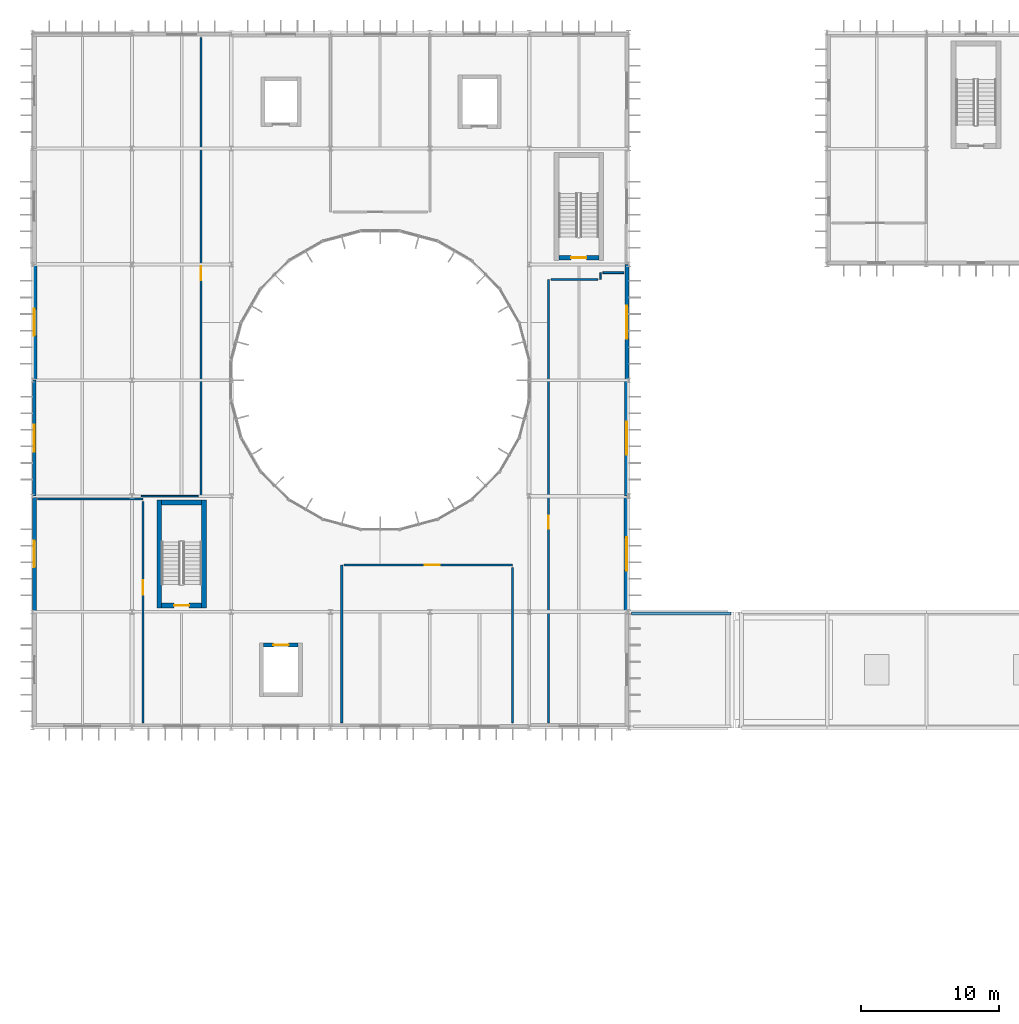
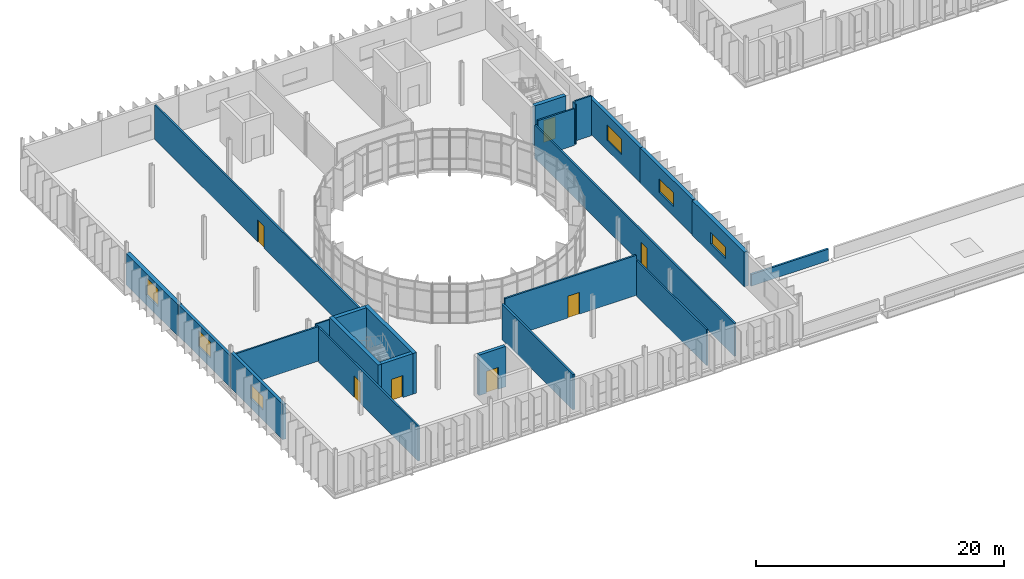
# One storey, part 45 of 61: 24 walls, 7 doors, 6 windows, 13 openings.
"""IFC4 building model written with IfcOpenShell, lengths in metres."""

from ifc_helpers import new_model, si_unit, direction, frame, frame_2d, origin, place, context, subcontext, project, spatial, rectangle, extrude, material, layer, layer_set, type_object, element, fill, save


model = new_model("IFC4")

# Units and contexts
model_context = context("Model", 3, precision=1e-05, world=origin(), true_north=direction((0.0, 1.0)))
body_context = subcontext(model_context, "Body", "Model", "MODEL_VIEW")
ifc_project = project(units=[si_unit("LENGTHUNIT", "METRE"), si_unit("AREAUNIT", "SQUARE_METRE"), si_unit("VOLUMEUNIT", "CUBIC_METRE"), si_unit("PLANEANGLEUNIT", "RADIAN"), si_unit("MASSUNIT", "GRAM", prefix="KILO")], contexts=[model_context])

# Site, building, storey
site_placement = place(None, origin())
site = spatial("IfcSite", under=ifc_project, at=site_placement, CompositionType="ELEMENT")
building_placement = place(site_placement, origin())
building = spatial("IfcBuilding", under=site, at=building_placement, Name="Qelthora Terrace Specialist Clinic", CompositionType="ELEMENT")
storey_placement = place(building_placement, frame((0.0, 0.0, 13.199951171875)))
storey = spatial("IfcBuildingStorey", under=building, at=storey_placement, Name="L03", CompositionType="ELEMENT", Elevation=13.199951171875)

# Wall, opening, door
ifc_material_1 = material(Name="Concrete C40/50", Category="concrete")
ifc_layer_1 = layer(ifc_material_1, 0.300048828125)
ifc_layer_set_1 = layer_set([ifc_layer_1], Name="Concrete C40/50")
wall_type_1 = type_object("IfcWallType", Name="WAL-CORE-300-C40", PredefinedType="SHEAR", material=ifc_layer_set_1)
wall_1_placement = place(storey_placement, frame((16.75, 64.800048828125, 0.0), z_axis=(0.0, 0.0, 1.0), x_axis=(1.0, 0.0, 0.0)))
wall_1 = element("IfcWall", 1, at=wall_1_placement, inside=storey, type_object=wall_type_1, Name="Lift SL-01 L03 north shaft wall", PredefinedType="SHEAR", context=body_context, shape_type="SweptSolid", body=[
    extrude(rectangle(XDim=2.5, YDim=0.300048828125, at=frame_2d((1.25, 0.0))), origin(), (0.0, 0.0, 1.0), 3.989990234375),
])
opening_1_placement = place(wall_1_placement, frame((0.699951171875, 0.0, 0.0)))
opening_1 = element("IfcOpeningElement", 2, at=opening_1_placement, cuts=wall_1, Name="Opening LD-SL-01-L03", PredefinedType="OPENING", context=body_context, shape_type="SweptSolid", body=[
    extrude(rectangle(XDim=1.10009765625, YDim=2.14990234375, at=frame_2d((0.550048828125, 1.074951171875))), frame((0.0, 0.159912109375, 0.0), z_axis=(0.0, -1.0, 0.0), x_axis=(1.0, 0.0, 0.0)), (0.0, 0.0, 1.0), 0.320068359375),
])
ifc_material_2 = material(Name="Steel S355", Category="steel")
door_type_1 = type_object("IfcDoorType", Name="DOR-LIFT-1100X2150", OperationType="NOTDEFINED", PredefinedType="DOOR", material=ifc_material_2)
door_1_placement = place(opening_1_placement, origin())
door_1 = element("IfcDoor", 3, at=door_1_placement, inside=storey, type_object=door_type_1, Name="Lift landing sliding door LD-SL-01-L03", OperationType="DOUBLE_DOOR_SLIDING", OverallHeight=2.14990234375, OverallWidth=1.10009765625, PredefinedType="DOOR", context=body_context, shape_type="SweptSolid", body=[
    extrude(rectangle(XDim=1.10009765625, YDim=2.14990234375, at=frame_2d((0.550048828125, 1.074951171875))), frame((0.0, 0.02490234375, 0.0), z_axis=(0.0, -1.0, 0.0), x_axis=(1.0, 0.0, 0.0)), (0.0, 0.0, 1.0), 0.050048828125),
])
fill(opening_1, door_1)

# Walls
ifc_layer_2 = layer(ifc_material_1, 0.35009765625)
ifc_layer_set_2 = layer_set([ifc_layer_2], Name="Concrete C40/50")
wall_type_2 = type_object("IfcWallType", Name="WAL-CORE-350-C40", PredefinedType="SHEAR", material=ifc_layer_set_2)
for number, where, z_axis, x_axis, name in (
    (4, (9.175048828125, 67.5, 0.0), (0.0, 0.0, 1.0), (0.0, 1.0, 0.0), "ST-01 L03 west shear core wall"),
    (5, (12.425048828125, 67.5, 0.0), (0.0, 0.0, 1.0), (0.0, 1.0, 0.0), "ST-01 L03 east shear core wall"),
):
    element("IfcWall", number, at=place(storey_placement, frame(where, z_axis=z_axis, x_axis=x_axis)), inside=storey, type_object=wall_type_2, Name=name, PredefinedType="SHEAR", context=body_context, shape_type="SweptSolid", body=[
        extrude(rectangle(XDim=7.800048828125, YDim=0.35009765625, at=frame_2d((3.89990234375, 0.0))), origin(), (0.0, 0.0, 1.0), 3.989990234375),
    ])
wall_2_placement = place(storey_placement, frame((9.35009765625, 75.125, 0.0), z_axis=(0.0, 0.0, 1.0), x_axis=(1.0, 0.0, 0.0)))
element("IfcWall", 6, at=wall_2_placement, inside=storey, type_object=wall_type_2, Name="ST-01 L03 north shear core wall", PredefinedType="SHEAR", context=body_context, shape_type="SweptSolid", body=[
    extrude(rectangle(XDim=2.89990234375, YDim=0.35009765625, at=frame_2d((1.449951171875, 0.0))), origin(), (0.0, 0.0, 1.0), 3.989990234375),
])

# Wall, opening, door
wall_3_placement = place(storey_placement, frame((9.35009765625, 67.675048828125, 0.0), z_axis=(0.0, 0.0, 1.0), x_axis=(1.0, 0.0, 0.0)))
wall_3 = element("IfcWall", 7, at=wall_3_placement, inside=storey, type_object=wall_type_2, Name="ST-01 L03 south shear core wall", PredefinedType="SHEAR", context=body_context, shape_type="SweptSolid", body=[
    extrude(rectangle(XDim=2.89990234375, YDim=0.35009765625, at=frame_2d((1.449951171875, 0.0))), origin(), (0.0, 0.0, 1.0), 3.989990234375),
])
opening_2_placement = place(wall_3_placement, frame((0.89990234375, 0.0, 0.0)))
opening_2 = element("IfcOpeningElement", 8, at=opening_2_placement, cuts=wall_3, Name="Opening D-ST-01-L03", PredefinedType="OPENING", context=body_context, shape_type="SweptSolid", body=[
    extrude(rectangle(XDim=1.10009765625, YDim=2.14990234375, at=frame_2d((0.550048828125, 1.074951171875))), frame((0.0, 0.18505859375, 0.0), z_axis=(0.0, -1.0, 0.0), x_axis=(1.0, 0.0, 0.0)), (0.0, 0.0, 1.0), 0.3701171875),
])
door_type_2 = type_object("IfcDoorType", Name="DOR-STAIR-1100X2150", OperationType="NOTDEFINED", PredefinedType="DOOR", material=ifc_material_2)
door_2_placement = place(opening_2_placement, origin())
door_2 = element("IfcDoor", 9, at=door_2_placement, inside=storey, type_object=door_type_2, Name="Stair fire door D-ST-01-L03", OperationType="SINGLE_SWING_RIGHT", OverallHeight=2.14990234375, OverallWidth=1.10009765625, PredefinedType="DOOR", context=body_context, shape_type="SweptSolid", body=[
    extrude(rectangle(XDim=1.10009765625, YDim=2.14990234375, at=frame_2d((0.550048828125, 1.074951171875))), frame((0.0, 0.02490234375, 0.0), z_axis=(0.0, -1.0, 0.0), x_axis=(1.0, 0.0, 0.0)), (0.0, 0.0, 1.0), 0.050048828125),
])
fill(opening_2, door_2)

wall_4_placement = place(storey_placement, frame((38.14990234375, 92.875, 0.0), z_axis=(0.0, 0.0, 1.0), x_axis=(1.0, 0.0, 0.0)))
wall_4 = element("IfcWall", 10, at=wall_4_placement, inside=storey, type_object=wall_type_2, Name="ST-02 L03 south shear core wall", PredefinedType="SHEAR", context=body_context, shape_type="SweptSolid", body=[
    extrude(rectangle(XDim=2.900146484375, YDim=0.35009765625, at=frame_2d((1.4501953125, 0.0))), origin(), (0.0, 0.0, 1.0), 3.989990234375),
])
opening_3_placement = place(wall_4_placement, frame((0.89990234375, 0.0, 0.0)))
opening_3 = element("IfcOpeningElement", 11, at=opening_3_placement, cuts=wall_4, Name="Opening D-ST-02-L03", PredefinedType="OPENING", context=body_context, shape_type="SweptSolid", body=[
    extrude(rectangle(XDim=1.10009765625, YDim=2.14990234375, at=frame_2d((0.550048828125, 1.074951171875))), frame((0.0, 0.18505859375, 0.0), z_axis=(0.0, -1.0, 0.0), x_axis=(1.0, 0.0, 0.0)), (0.0, 0.0, 1.0), 0.3701171875),
])
door_3_placement = place(opening_3_placement, origin())
door_3 = element("IfcDoor", 12, at=door_3_placement, inside=storey, type_object=door_type_2, Name="Stair fire door D-ST-02-L03", OperationType="SINGLE_SWING_LEFT", OverallHeight=2.14990234375, OverallWidth=1.10009765625, PredefinedType="DOOR", context=body_context, shape_type="SweptSolid", body=[
    extrude(rectangle(XDim=1.10009765625, YDim=2.14990234375, at=frame_2d((0.550048828125, 1.074951171875))), frame((0.0, 0.02490234375, 0.0), z_axis=(0.0, -1.0, 0.0), x_axis=(1.0, 0.0, 0.0)), (0.0, 0.0, 1.0), 0.050048828125),
])
fill(opening_3, door_3)

# Wall, opening, window
ifc_material_3 = material(Name="Precast concrete C40/50", Category="concrete")
ifc_layer_3 = layer(ifc_material_3, 0.260009765625)
ifc_layer_set_3 = layer_set([ifc_layer_3], Name="Precast concrete C40/50")
wall_type_3 = type_object("IfcWallType", Name="WAL-EXT-260-PC40", PredefinedType="SOLIDWALL", material=ifc_layer_set_3)
wall_5_placement = place(storey_placement, frame((0.1201171875, 75.60009765625, 0.0), z_axis=(0.0, 0.0, 1.0), x_axis=(0.0, 1.0, 0.0)))
wall_5 = element("IfcWall", 13, at=wall_5_placement, inside=storey, type_object=wall_type_3, Name="L03 external precast wall 324", PredefinedType="SOLIDWALL", context=body_context, shape_type="SweptSolid", body=[
    extrude(rectangle(XDim=8.39990234375, YDim=0.260009765625, at=frame_2d((4.199951171875, 0.0))), origin(), (0.0, 0.0, 1.0), 3.091064453125),
])
opening_4_placement = place(wall_5_placement, frame((3.22509765625, 0.0, 0.949951171875)))
opening_4 = element("IfcOpeningElement", 14, at=opening_4_placement, cuts=wall_5, Name="Opening WN-L03-283", PredefinedType="OPENING", context=body_context, shape_type="SweptSolid", body=[
    extrude(rectangle(XDim=1.949951171875, YDim=1.550048828125, at=frame_2d((0.97509765625, 0.77490234375))), frame((0.0, 0.139892578125, 0.0), z_axis=(0.0, -1.0, 0.0), x_axis=(1.0, 0.0, 0.0)), (0.0, 0.0, 1.0), 0.280029296875),
])
ifc_material_4 = material(Name="Low-E triple-silver insulating glass", Category="glass")
window_type_1 = type_object("IfcWindowType", Name="WIN-1950X1550", PartitioningType="DOUBLE_PANEL_VERTICAL", PredefinedType="WINDOW", material=ifc_material_4)
window_1_placement = place(opening_4_placement, origin())
window_1 = element("IfcWindow", 15, at=window_1_placement, inside=storey, type_object=window_type_1, Name="Clinical window WN-L03-283", OverallHeight=1.550048828125, OverallWidth=1.949951171875, PartitioningType="SINGLE_PANEL", PredefinedType="WINDOW", context=body_context, shape_type="SweptSolid", body=[
    extrude(rectangle(XDim=1.949951171875, YDim=1.550048828125, at=frame_2d((0.97509765625, 0.77490234375))), frame((0.0, 0.030029296875, 0.0), z_axis=(0.0, -1.0, 0.0), x_axis=(1.0, 0.0, 0.0)), (0.0, 0.0, 1.0), 0.06005859375),
])
fill(opening_4, window_1)

ifc_layer_4 = layer(ifc_material_3, 0.280029296875)
ifc_layer_set_4 = layer_set([ifc_layer_4], Name="Precast concrete C40/50")
wall_type_4 = type_object("IfcWallType", Name="WAL-EXT-280-PC40", PredefinedType="SOLIDWALL", material=ifc_layer_set_4)
wall_6_placement = place(storey_placement, frame((0.1201171875, 67.199951171875, 0.0), z_axis=(0.0, 0.0, 1.0), x_axis=(0.0, 1.0, 0.0)))
wall_6 = element("IfcWall", 16, at=wall_6_placement, inside=storey, type_object=wall_type_4, Name="L03 external precast wall 323", PredefinedType="SOLIDWALL", context=body_context, shape_type="SweptSolid", body=[
    extrude(rectangle(XDim=8.400146484375, YDim=0.280029296875, at=frame_2d((4.2001953125, 0.0))), origin(), (0.0, 0.0, 1.0), 3.48193359375),
])
opening_5_placement = place(wall_6_placement, frame((3.22509765625, 0.0, 0.949951171875)))
opening_5 = element("IfcOpeningElement", 17, at=opening_5_placement, cuts=wall_6, Name="Opening WN-L03-282", PredefinedType="OPENING", context=body_context, shape_type="SweptSolid", body=[
    extrude(rectangle(XDim=1.949951171875, YDim=1.35009765625, at=frame_2d((0.97509765625, 0.675048828125))), frame((0.0, 0.14990234375, 0.0), z_axis=(0.0, -1.0, 0.0), x_axis=(1.0, 0.0, 0.0)), (0.0, 0.0, 1.0), 0.300048828125),
])
window_type_2 = type_object("IfcWindowType", Name="WIN-1950X1350", PartitioningType="DOUBLE_PANEL_VERTICAL", PredefinedType="WINDOW", material=ifc_material_4)
window_2_placement = place(opening_5_placement, origin())
window_2 = element("IfcWindow", 18, at=window_2_placement, inside=storey, type_object=window_type_2, Name="Clinical window WN-L03-282", OverallHeight=1.35009765625, OverallWidth=1.949951171875, PartitioningType="SINGLE_PANEL", PredefinedType="WINDOW", context=body_context, shape_type="SweptSolid", body=[
    extrude(rectangle(XDim=1.949951171875, YDim=1.35009765625, at=frame_2d((0.97509765625, 0.675048828125))), frame((0.0, 0.030029296875, 0.0), z_axis=(0.0, -1.0, 0.0), x_axis=(1.0, 0.0, 0.0)), (0.0, 0.0, 1.0), 0.06005859375),
])
fill(opening_5, window_2)

ifc_layer_5 = layer(ifc_material_3, 0.300048828125)
ifc_layer_set_5 = layer_set([ifc_layer_5], Name="Precast concrete C40/50")
wall_type_5 = type_object("IfcWallType", Name="WAL-EXT-300-PC40", PredefinedType="SOLIDWALL", material=ifc_layer_set_5)
wall_7_placement = place(storey_placement, frame((43.080078125, 84.0, 0.0), z_axis=(0.0, 0.0, 1.0), x_axis=(0.0, 1.0, 0.0)))
wall_7 = element("IfcWall", 19, at=wall_7_placement, inside=storey, type_object=wall_type_5, Name="L03 external precast wall 337", PredefinedType="SOLIDWALL", context=body_context, shape_type="SweptSolid", body=[
    extrude(rectangle(XDim=8.39990234375, YDim=0.300048828125, at=frame_2d((4.199951171875, 0.0))), origin(), (0.0, 0.0, 1.0), 3.48193359375),
])
opening_6_placement = place(wall_7_placement, frame((3.0, 0.0, 0.949951171875)))
opening_6 = element("IfcOpeningElement", 20, at=opening_6_placement, cuts=wall_7, Name="Opening WN-L03-295", PredefinedType="OPENING", context=body_context, shape_type="SweptSolid", body=[
    extrude(rectangle(XDim=2.39990234375, YDim=1.550048828125, at=frame_2d((1.199951171875, 0.77490234375))), frame((0.0, 0.159912109375, 0.0), z_axis=(0.0, -1.0, 0.0), x_axis=(1.0, 0.0, 0.0)), (0.0, 0.0, 1.0), 0.320068359375),
])
window_type_3 = type_object("IfcWindowType", Name="WIN-2400X1550", PartitioningType="DOUBLE_PANEL_VERTICAL", PredefinedType="WINDOW", material=ifc_material_4)
window_3_placement = place(opening_6_placement, origin())
window_3 = element("IfcWindow", 21, at=window_3_placement, inside=storey, type_object=window_type_3, Name="Clinical window WN-L03-295", OverallHeight=1.550048828125, OverallWidth=2.39990234375, PartitioningType="SINGLE_PANEL", PredefinedType="WINDOW", context=body_context, shape_type="SweptSolid", body=[
    extrude(rectangle(XDim=2.39990234375, YDim=1.550048828125, at=frame_2d((1.199951171875, 0.77490234375))), frame((0.0, 0.030029296875, 0.0), z_axis=(0.0, -1.0, 0.0), x_axis=(1.0, 0.0, 0.0)), (0.0, 0.0, 1.0), 0.06005859375),
])
fill(opening_6, window_3)

ifc_layer_6 = layer(ifc_material_3, 0.320068359375)
ifc_layer_set_6 = layer_set([ifc_layer_6], Name="Precast concrete C40/50")
wall_type_6 = type_object("IfcWallType", Name="WAL-EXT-320-PC40", PredefinedType="SOLIDWALL", material=ifc_layer_set_6)
wall_8_placement = place(storey_placement, frame((43.080078125, 75.60009765625, 0.0), z_axis=(0.0, 0.0, 1.0), x_axis=(0.0, 1.0, 0.0)))
wall_8 = element("IfcWall", 22, at=wall_8_placement, inside=storey, type_object=wall_type_6, Name="L03 external precast wall 336", PredefinedType="SOLIDWALL", context=body_context, shape_type="SweptSolid", body=[
    extrude(rectangle(XDim=8.39990234375, YDim=0.320068359375, at=frame_2d((4.199951171875, 0.0))), origin(), (0.0, 0.0, 1.0), 3.47607421875),
])
opening_7_placement = place(wall_8_placement, frame((3.0, 0.0, 0.949951171875)))
opening_7 = element("IfcOpeningElement", 23, at=opening_7_placement, cuts=wall_8, Name="Opening WN-L03-294", PredefinedType="OPENING", context=body_context, shape_type="SweptSolid", body=[
    extrude(rectangle(XDim=2.39990234375, YDim=1.35009765625, at=frame_2d((1.199951171875, 0.675048828125))), frame((0.0, 0.169921875, 0.0), z_axis=(0.0, -1.0, 0.0), x_axis=(1.0, 0.0, 0.0)), (0.0, 0.0, 1.0), 0.340087890625),
])
window_type_4 = type_object("IfcWindowType", Name="WIN-2400X1350", PartitioningType="DOUBLE_PANEL_VERTICAL", PredefinedType="WINDOW", material=ifc_material_4)
window_4_placement = place(opening_7_placement, origin())
window_4 = element("IfcWindow", 24, at=window_4_placement, inside=storey, type_object=window_type_4, Name="Clinical window WN-L03-294", OverallHeight=1.35009765625, OverallWidth=2.39990234375, PartitioningType="SINGLE_PANEL", PredefinedType="WINDOW", context=body_context, shape_type="SweptSolid", body=[
    extrude(rectangle(XDim=2.39990234375, YDim=1.35009765625, at=frame_2d((1.199951171875, 0.675048828125))), frame((0.0, 0.030029296875, 0.0), z_axis=(0.0, -1.0, 0.0), x_axis=(1.0, 0.0, 0.0)), (0.0, 0.0, 1.0), 0.06005859375),
])
fill(opening_7, window_4)

ifc_layer_7 = layer(ifc_material_3, 0.3798828125)
ifc_layer_set_7 = layer_set([ifc_layer_7], Name="Precast concrete C40/50")
wall_type_7 = type_object("IfcWallType", Name="WAL-EXT-380-PC40", PredefinedType="SOLIDWALL", material=ifc_layer_set_7)
wall_9_placement = place(storey_placement, frame((0.1201171875, 84.0, 0.0), z_axis=(0.0, 0.0, 1.0), x_axis=(0.0, 1.0, 0.0)))
wall_9 = element("IfcWall", 25, at=wall_9_placement, inside=storey, type_object=wall_type_7, Name="L03 external precast wall 325", PredefinedType="SOLIDWALL", context=body_context, shape_type="SweptSolid", body=[
    extrude(rectangle(XDim=8.39990234375, YDim=0.3798828125, at=frame_2d((4.199951171875, 0.0))), origin(), (0.0, 0.0, 1.0), 3.091064453125),
])
opening_8_placement = place(wall_9_placement, frame((3.22509765625, 0.0, 0.949951171875)))
opening_8 = element("IfcOpeningElement", 26, at=opening_8_placement, cuts=wall_9, Name="Opening WN-L03-284", PredefinedType="OPENING", context=body_context, shape_type="SweptSolid", body=[
    extrude(rectangle(XDim=1.949951171875, YDim=1.75, at=frame_2d((0.97509765625, 0.875))), frame((0.0, 0.199951171875, 0.0), z_axis=(0.0, -1.0, 0.0), x_axis=(1.0, 0.0, 0.0)), (0.0, 0.0, 1.0), 0.39990234375),
])
window_type_5 = type_object("IfcWindowType", Name="WIN-1950X1750", PartitioningType="DOUBLE_PANEL_VERTICAL", PredefinedType="WINDOW", material=ifc_material_4)
window_5_placement = place(opening_8_placement, origin())
window_5 = element("IfcWindow", 27, at=window_5_placement, inside=storey, type_object=window_type_5, Name="Clinical window WN-L03-284", OverallHeight=1.75, OverallWidth=1.949951171875, PartitioningType="SINGLE_PANEL", PredefinedType="WINDOW", context=body_context, shape_type="SweptSolid", body=[
    extrude(rectangle(XDim=1.949951171875, YDim=1.75, at=frame_2d((0.97509765625, 0.875))), frame((0.0, 0.030029296875, 0.0), z_axis=(0.0, -1.0, 0.0), x_axis=(1.0, 0.0, 0.0)), (0.0, 0.0, 1.0), 0.06005859375),
])
fill(opening_8, window_5)

wall_10_placement = place(storey_placement, frame((43.080078125, 67.199951171875, 0.0), z_axis=(0.0, 0.0, 1.0), x_axis=(0.0, 1.0, 0.0)))
wall_10 = element("IfcWall", 28, at=wall_10_placement, inside=storey, type_object=wall_type_7, Name="L03 external precast wall 335", PredefinedType="SOLIDWALL", context=body_context, shape_type="SweptSolid", body=[
    extrude(rectangle(XDim=8.400146484375, YDim=0.3798828125, at=frame_2d((4.2001953125, 0.0))), origin(), (0.0, 0.0, 1.0), 3.405029296875),
])
opening_9_placement = place(wall_10_placement, frame((3.0, 0.0, 0.949951171875)))
opening_9 = element("IfcOpeningElement", 29, at=opening_9_placement, cuts=wall_10, Name="Opening WN-L03-293", PredefinedType="OPENING", context=body_context, shape_type="SweptSolid", body=[
    extrude(rectangle(XDim=2.39990234375, YDim=1.14990234375, at=frame_2d((1.199951171875, 0.574951171875))), frame((0.0, 0.199951171875, 0.0), z_axis=(0.0, -1.0, 0.0), x_axis=(1.0, 0.0, 0.0)), (0.0, 0.0, 1.0), 0.39990234375),
])
window_type_6 = type_object("IfcWindowType", Name="WIN-2400X1150", PartitioningType="DOUBLE_PANEL_VERTICAL", PredefinedType="WINDOW", material=ifc_material_4)
window_6_placement = place(opening_9_placement, origin())
window_6 = element("IfcWindow", 30, at=window_6_placement, inside=storey, type_object=window_type_6, Name="Clinical window WN-L03-293", OverallHeight=1.14990234375, OverallWidth=2.39990234375, PartitioningType="SINGLE_PANEL", PredefinedType="WINDOW", context=body_context, shape_type="SweptSolid", body=[
    extrude(rectangle(XDim=2.39990234375, YDim=1.14990234375, at=frame_2d((1.199951171875, 0.574951171875))), frame((0.0, 0.030029296875, 0.0), z_axis=(0.0, -1.0, 0.0), x_axis=(1.0, 0.0, 0.0)), (0.0, 0.0, 1.0), 0.06005859375),
])
fill(opening_9, window_6)

# Walls
ifc_material_5 = material(Name="Gypsum acoustic wallboard", Category="gypsum")
ifc_layer_8 = layer(ifc_material_5, 0.139892578125)
ifc_layer_set_8 = layer_set([ifc_layer_8], Name="Gypsum acoustic wallboard")
wall_type_8 = type_object("IfcWallType", Name="WAL-INT-ACU-140", PredefinedType="PARTITIONING", material=ifc_layer_set_8)
wall_11_placement = place(storey_placement, frame((41.340087890625, 91.800048828125, 0.0), z_axis=(0.0, 0.0, 1.0), x_axis=(1.0, 0.0, 0.0)))
element("IfcWall", 31, at=wall_11_placement, inside=storey, type_object=wall_type_8, Name="Interior clinical partition IWAL-L03-0343", PredefinedType="PARTITIONING", context=body_context, shape_type="SweptSolid", body=[
    extrude(rectangle(XDim=1.52001953125, YDim=0.139892578125, at=frame_2d((0.760009765625, 0.0))), origin(), (0.0, 0.0, 1.0), 3.945068359375),
])
ifc_material_6 = material(Name="Gypsum fire-rated wallboard", Category="gypsum")
ifc_layer_9 = layer(ifc_material_6, 0.179931640625)
ifc_layer_set_9 = layer_set([ifc_layer_9], Name="Gypsum fire-rated wallboard")
wall_type_9 = type_object("IfcWallType", Name="WAL-INT-CLN-180", PredefinedType="PARTITIONING", material=ifc_layer_set_9)
wall_12_placement = place(storey_placement, frame((22.39990234375, 59.139892578125, 0.0), z_axis=(0.0, 0.0, 1.0), x_axis=(0.0, 1.0, 0.0)))
element("IfcWall", 32, at=wall_12_placement, inside=storey, type_object=wall_type_9, Name="Interior clinical partition IWAL-L03-0335", PredefinedType="PARTITIONING", context=body_context, shape_type="SweptSolid", body=[
    extrude(rectangle(XDim=11.460205078125, YDim=0.179931640625, at=frame_2d((5.72998046875, 0.0))), origin(), (0.0, 0.0, 1.0), 3.485107421875),
])

# Wall, opening, door
ifc_layer_10 = layer(ifc_material_6, 0.159912109375)
ifc_layer_set_10 = layer_set([ifc_layer_10], Name="Gypsum fire-rated wallboard")
wall_type_10 = type_object("IfcWallType", Name="WAL-INT-COR-160", PredefinedType="PARTITIONING", material=ifc_layer_set_10)
wall_13_placement = place(storey_placement, frame((22.580078125, 70.60009765625, 0.0), z_axis=(0.0, 0.0, 1.0), x_axis=(1.0, 0.0, 0.0)))
wall_13 = element("IfcWall", 33, at=wall_13_placement, inside=storey, type_object=wall_type_10, Name="Interior clinical partition IWAL-L03-0336", PredefinedType="PARTITIONING", context=body_context, shape_type="SweptSolid", body=[
    extrude(rectangle(XDim=12.219970703125, YDim=0.159912109375, at=frame_2d((6.10986328125, 0.0))), origin(), (0.0, 0.0, 1.0), 3.945068359375),
])
opening_10_placement = place(wall_13_placement, frame((5.840087890625, 0.0, 0.0)))
opening_10 = element("IfcOpeningElement", 34, at=opening_10_placement, cuts=wall_13, Name="Opening DI-L03-0134", PredefinedType="OPENING", context=body_context, shape_type="SweptSolid", body=[
    extrude(rectangle(XDim=1.080078125, YDim=2.14990234375, at=frame_2d((0.5400390625, 1.074951171875))), frame((0.0, 0.08984375, 0.0), z_axis=(0.0, -1.0, 0.0), x_axis=(1.0, 0.0, 0.0)), (0.0, 0.0, 1.0), 0.179931640625),
])
ifc_material_7 = material(Name="Glulam timber GL28h", Category="wood")
door_type_3 = type_object("IfcDoorType", Name="DOR-CON-1080X2150", OperationType="NOTDEFINED", PredefinedType="DOOR", material=ifc_material_7)
door_4_placement = place(opening_10_placement, frame((1.080078125, 0.0, 0.0), z_axis=(0.0, 0.0, 1.0), x_axis=(-1.0, 0.0, 0.0)))
door_4 = element("IfcDoor", 35, at=door_4_placement, inside=storey, type_object=door_type_3, Name="Interior clinical door DI-L03-0134", OperationType="SINGLE_SWING_LEFT", OverallHeight=2.14990234375, OverallWidth=1.080078125, PredefinedType="DOOR", context=body_context, shape_type="SweptSolid", body=[
    extrude(rectangle(XDim=1.080078125, YDim=2.14990234375, at=frame_2d((0.5400390625, 1.074951171875))), frame((0.0, 0.02490234375, 0.0), z_axis=(0.0, -1.0, 0.0), x_axis=(1.0, 0.0, 0.0)), (0.0, 0.0, 1.0), 0.050048828125),
])
fill(opening_10, door_4)

wall_14_placement = place(storey_placement, frame((8.0, 75.219970703125, 0.0), z_axis=(0.0, 0.0, 1.0), x_axis=(0.0, -1.0, 0.0)))
wall_14 = element("IfcWall", 36, at=wall_14_placement, inside=storey, type_object=wall_type_10, Name="Interior clinical partition IWAL-L03-0339", PredefinedType="PARTITIONING", context=body_context, shape_type="SweptSolid", body=[
    extrude(rectangle(XDim=16.080078125, YDim=0.159912109375, at=frame_2d((8.0400390625, 0.0))), origin(), (0.0, 0.0, 1.0), 3.407958984375),
])
opening_11_placement = place(wall_14_placement, frame((5.719970703125, 0.0, 0.0)))
opening_11 = element("IfcOpeningElement", 37, at=opening_11_placement, cuts=wall_14, Name="Opening DI-L03-0135", PredefinedType="OPENING", context=body_context, shape_type="SweptSolid", body=[
    extrude(rectangle(XDim=1.0400390625, YDim=2.14990234375, at=frame_2d((0.52001953125, 1.074951171875))), frame((0.0, 0.08984375, 0.0), z_axis=(0.0, -1.0, 0.0), x_axis=(1.0, 0.0, 0.0)), (0.0, 0.0, 1.0), 0.179931640625),
])
door_type_4 = type_object("IfcDoorType", Name="DOR-CON-1040X2150", OperationType="NOTDEFINED", PredefinedType="DOOR", material=ifc_material_7)
door_5_placement = place(opening_11_placement, frame((1.0400390625, 0.0, 0.0), z_axis=(0.0, 0.0, 1.0), x_axis=(-1.0, 0.0, 0.0)))
door_5 = element("IfcDoor", 38, at=door_5_placement, inside=storey, type_object=door_type_4, Name="Interior clinical door DI-L03-0135", OperationType="SINGLE_SWING_RIGHT", OverallHeight=2.14990234375, OverallWidth=1.0400390625, PredefinedType="DOOR", context=body_context, shape_type="SweptSolid", body=[
    extrude(rectangle(XDim=1.0400390625, YDim=2.14990234375, at=frame_2d((0.52001953125, 1.074951171875))), frame((0.0, 0.02490234375, 0.0), z_axis=(0.0, -1.0, 0.0), x_axis=(1.0, 0.0, 0.0)), (0.0, 0.0, 1.0), 0.050048828125),
])
fill(opening_11, door_5)

wall_15_placement = place(storey_placement, frame((12.199951171875, 108.860107421875, 0.0), z_axis=(0.0, 0.0, 1.0), x_axis=(0.0, -1.0, 0.0)))
wall_15 = element("IfcWall", 39, at=wall_15_placement, inside=storey, type_object=wall_type_10, Name="Interior clinical partition IWAL-L03-0340", PredefinedType="PARTITIONING", context=body_context, shape_type="SweptSolid", body=[
    extrude(rectangle(XDim=33.260009765625, YDim=0.159912109375, at=frame_2d((16.6298828125, 0.0))), origin(), (0.0, 0.0, 1.0), 3.401123046875),
])
opening_12_placement = place(wall_15_placement, frame((16.60009765625, 0.0, 0.0)))
opening_12 = element("IfcOpeningElement", 40, at=opening_12_placement, cuts=wall_15, Name="Opening DI-L03-0136", PredefinedType="OPENING", context=body_context, shape_type="SweptSolid", body=[
    extrude(rectangle(XDim=1.0, YDim=2.14990234375, at=frame_2d((0.5, 1.074951171875))), frame((0.0, 0.08984375, 0.0), z_axis=(0.0, -1.0, 0.0), x_axis=(1.0, 0.0, 0.0)), (0.0, 0.0, 1.0), 0.179931640625),
])
door_type_5 = type_object("IfcDoorType", Name="DOR-CON-1000X2150", OperationType="NOTDEFINED", PredefinedType="DOOR", material=ifc_material_7)
door_6_placement = place(opening_12_placement, frame((1.0, 0.0, 0.0), z_axis=(0.0, 0.0, 1.0), x_axis=(-1.0, 0.0, 0.0)))
door_6 = element("IfcDoor", 41, at=door_6_placement, inside=storey, type_object=door_type_5, Name="Interior clinical door DI-L03-0136", OperationType="SINGLE_SWING_LEFT", OverallHeight=2.14990234375, OverallWidth=1.0, PredefinedType="DOOR", context=body_context, shape_type="SweptSolid", body=[
    extrude(rectangle(XDim=1.0, YDim=2.14990234375, at=frame_2d((0.5, 1.074951171875))), frame((0.0, 0.02490234375, 0.0), z_axis=(0.0, -1.0, 0.0), x_axis=(1.0, 0.0, 0.0)), (0.0, 0.0, 1.0), 0.050048828125),
])
fill(opening_12, door_6)

wall_16_placement = place(storey_placement, frame((37.39990234375, 59.139892578125, 0.0), z_axis=(0.0, 0.0, 1.0), x_axis=(0.0, 1.0, 0.0)))
wall_16 = element("IfcWall", 42, at=wall_16_placement, inside=storey, type_object=wall_type_10, Name="Interior clinical partition IWAL-L03-0344", PredefinedType="PARTITIONING", context=body_context, shape_type="SweptSolid", body=[
    extrude(rectangle(XDim=32.175048828125, YDim=0.159912109375, at=frame_2d((16.08740234375, 0.0))), origin(), (0.0, 0.0, 1.0), 3.251953125),
])
opening_13_placement = place(wall_16_placement, frame((14.077392578125, 0.0, 0.0)))
opening_13 = element("IfcOpeningElement", 43, at=opening_13_placement, cuts=wall_16, Name="Opening DI-L03-0137", PredefinedType="OPENING", context=body_context, shape_type="SweptSolid", body=[
    extrude(rectangle(XDim=0.9599609375, YDim=2.10009765625, at=frame_2d((0.47998046875, 1.050048828125))), frame((0.0, 0.08984375, 0.0), z_axis=(0.0, -1.0, 0.0), x_axis=(1.0, 0.0, 0.0)), (0.0, 0.0, 1.0), 0.179931640625),
])
door_type_6 = type_object("IfcDoorType", Name="DOR-CON-960X2100", OperationType="NOTDEFINED", PredefinedType="DOOR", material=ifc_material_7)
door_7_placement = place(opening_13_placement, frame((0.9599609375, 0.0, 0.0), z_axis=(0.0, 0.0, 1.0), x_axis=(-1.0, 0.0, 0.0)))
door_7 = element("IfcDoor", 44, at=door_7_placement, inside=storey, type_object=door_type_6, Name="Interior clinical door DI-L03-0137", OperationType="SINGLE_SWING_RIGHT", OverallHeight=2.10009765625, OverallWidth=0.9599609375, PredefinedType="DOOR", context=body_context, shape_type="SweptSolid", body=[
    extrude(rectangle(XDim=0.9599609375, YDim=2.10009765625, at=frame_2d((0.47998046875, 1.050048828125))), frame((0.0, 0.02490234375, 0.0), z_axis=(0.0, -1.0, 0.0), x_axis=(1.0, 0.0, 0.0)), (0.0, 0.0, 1.0), 0.050048828125),
])
fill(opening_13, door_7)

# Walls
ifc_layer_11 = layer(ifc_material_5, 0.10009765625)
ifc_layer_set_11 = layer_set([ifc_layer_11], Name="Gypsum acoustic wallboard")
wall_type_11 = type_object("IfcWallType", Name="WAL-INT-LGT-100", PredefinedType="PARTITIONING", material=ifc_layer_set_11)
wall_17_placement = place(storey_placement, frame((41.159912109375, 91.31494140625, 0.0), z_axis=(0.0, 0.0, 1.0), x_axis=(0.0, 1.0, 0.0)))
element("IfcWall", 45, at=wall_17_placement, inside=storey, type_object=wall_type_11, Name="Interior clinical partition IWAL-L03-0342", PredefinedType="PARTITIONING", context=body_context, shape_type="SweptSolid", body=[
    extrude(rectangle(XDim=0.485107421875, YDim=0.10009765625, at=frame_2d((0.24267578125, 0.0))), origin(), (0.0, 0.0, 1.0), 3.945068359375),
])
ifc_layer_12 = layer(ifc_material_5, 0.1201171875)
ifc_layer_set_12 = layer_set([ifc_layer_12], Name="Gypsum acoustic wallboard")
wall_type_12 = type_object("IfcWallType", Name="WAL-INT-STD-120", PredefinedType="PARTITIONING", material=ifc_layer_set_12)
wall_18_placement = place(storey_placement, frame((12.02001953125, 75.60009765625, 0.0), z_axis=(0.0, 0.0, 1.0), x_axis=(-1.0, 0.0, 0.0)))
element("IfcWall", 46, at=wall_18_placement, inside=storey, type_object=wall_type_12, Name="Interior clinical partition IWAL-L03-0341", PredefinedType="PARTITIONING", context=body_context, shape_type="SweptSolid", body=[
    extrude(rectangle(XDim=4.159912109375, YDim=0.1201171875, at=frame_2d((2.080078125, 0.0))), origin(), (0.0, 0.0, 1.0), 3.53515625),
])
ifc_material_8 = material(Name="Gypsum moisture-resistant", Category="gypsum")
ifc_layer_13 = layer(ifc_material_8, 0.14990234375)
ifc_layer_set_13 = layer_set([ifc_layer_13], Name="Gypsum moisture-resistant")
wall_type_13 = type_object("IfcWallType", Name="WAL-INT-WET-150", PredefinedType="PLUMBINGWALL", material=ifc_layer_set_13)
wall_19_placement = place(storey_placement, frame((34.800048828125, 70.419921875, 0.0), z_axis=(0.0, 0.0, 1.0), x_axis=(0.0, -1.0, 0.0)))
element("IfcWall", 47, at=wall_19_placement, inside=storey, type_object=wall_type_13, Name="Interior clinical partition IWAL-L03-0337", PredefinedType="PLUMBINGWALL", context=body_context, shape_type="SweptSolid", body=[
    extrude(rectangle(XDim=11.280029296875, YDim=0.14990234375, at=frame_2d((5.64013671875, 0.0))), origin(), (0.0, 0.0, 1.0), 3.531982421875),
])
wall_20_placement = place(storey_placement, frame((0.340087890625, 75.39990234375, 0.0), z_axis=(0.0, 0.0, 1.0), x_axis=(1.0, 0.0, 0.0)))
element("IfcWall", 48, at=wall_20_placement, inside=storey, type_object=wall_type_13, Name="Interior clinical partition IWAL-L03-0338", PredefinedType="PLUMBINGWALL", context=body_context, shape_type="SweptSolid", body=[
    extrude(rectangle(XDim=7.659912109375, YDim=0.14990234375, at=frame_2d((3.830078125, 0.0))), origin(), (0.0, 0.0, 1.0), 3.401123046875),
])
wall_21_placement = place(storey_placement, frame((37.580078125, 91.31494140625, 0.0), z_axis=(0.0, 0.0, 1.0), x_axis=(1.0, 0.0, 0.0)))
element("IfcWall", 49, at=wall_21_placement, inside=storey, type_object=wall_type_13, Name="Interior clinical partition IWAL-L03-0345", PredefinedType="PLUMBINGWALL", context=body_context, shape_type="SweptSolid", body=[
    extrude(rectangle(XDim=3.39990234375, YDim=0.14990234375, at=frame_2d((1.699951171875, 0.0))), origin(), (0.0, 0.0, 1.0), 3.6279296875),
])
ifc_layer_14 = layer(ifc_material_3, 0.18994140625)
ifc_layer_set_14 = layer_set([ifc_layer_14], Name="Precast concrete C40/50")
wall_type_14 = type_object("IfcWallType", Name="WAL-PAR-190-PC40", PredefinedType="PARAPET", material=ifc_layer_set_14)
wall_22_placement = place(storey_placement, frame((43.43310546875, 67.090087890625, 0.0), z_axis=(0.0, 0.0, 1.0), x_axis=(1.0, 0.0, 0.0)))
element("IfcWall", 50, at=wall_22_placement, inside=storey, type_object=wall_type_14, Name="Roof perimeter parapet ROOF-V7-BRGW-1-2", PredefinedType="PARAPET", context=body_context, shape_type="SweptSolid", body=[
    extrude(rectangle(XDim=7.19677734375, YDim=0.18994140625, at=frame_2d((3.598388671875, 0.0))), origin(), (0.0, 0.0, 1.0), 1.150146484375),
])

save(model, "model.ifc")
